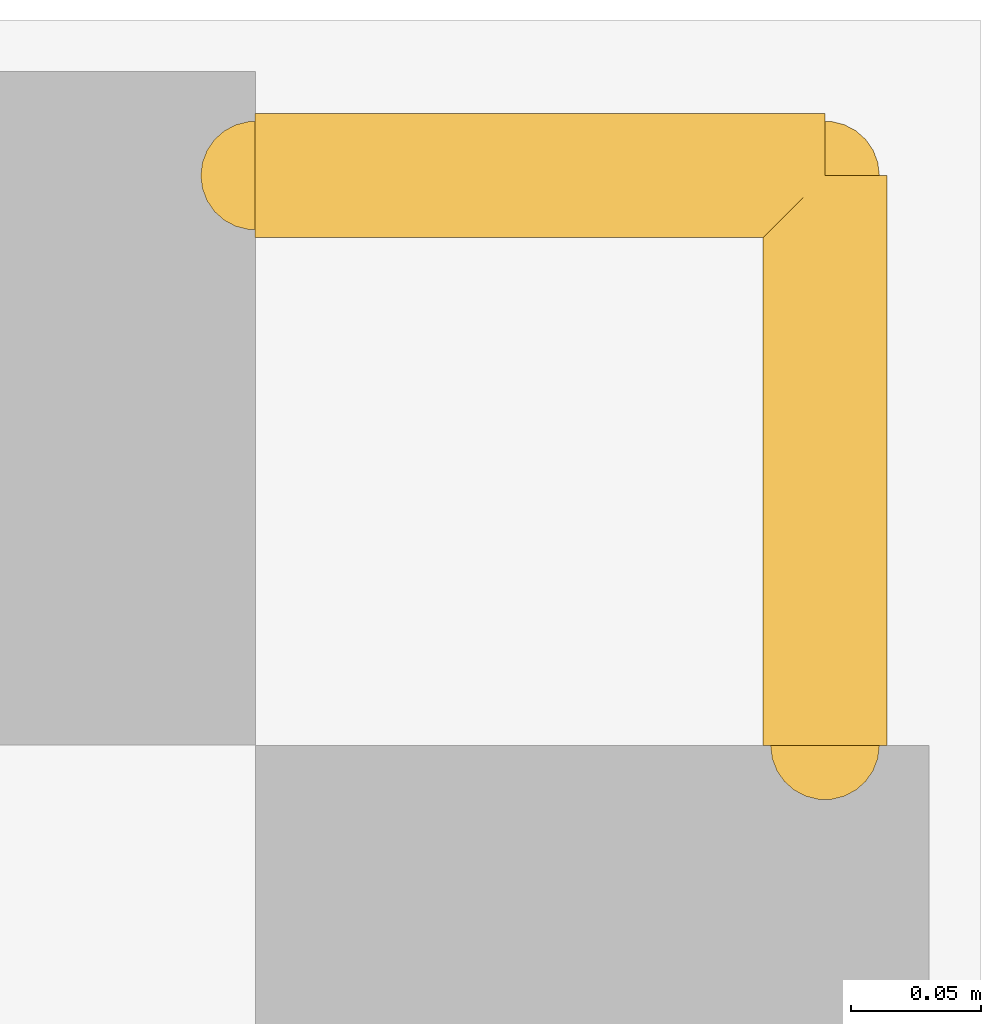
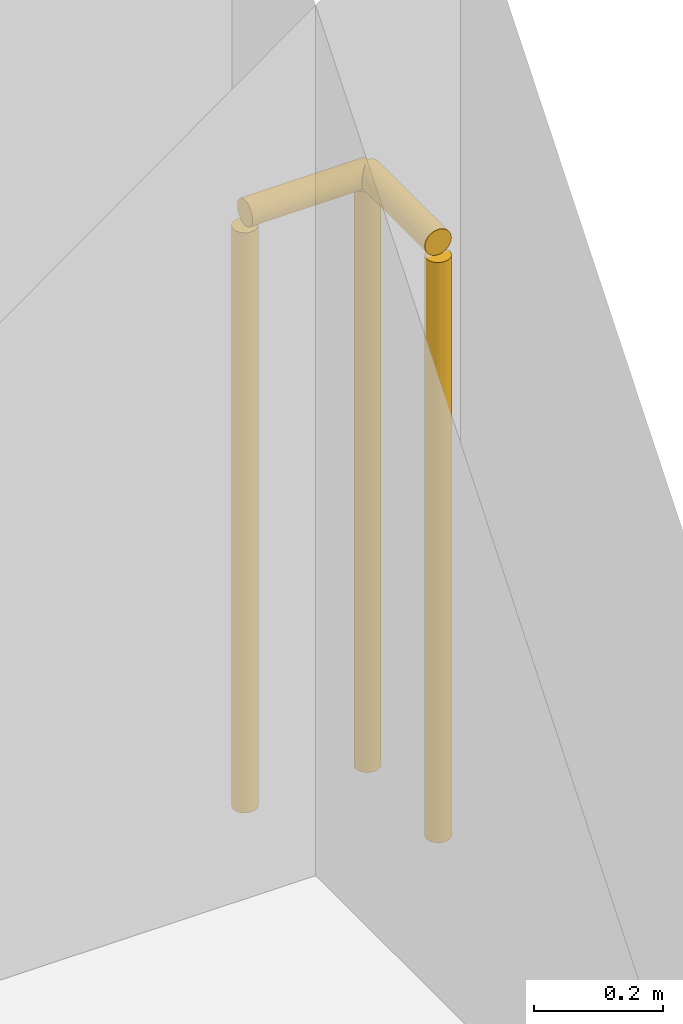
# One storey, part 20 of 20: 1 railing.
"""IFC4 building model written with IfcOpenShell, lengths in metres."""

from ifc_helpers import new_model, si_unit, direction, frame, origin, origin_2d, place, context, subcontext, project, spatial, circle, extrude, material, type_object, element, save


model = new_model("IFC4")

# Units and contexts
model_context = context("Model", 3, precision=1e-05, world=origin(), true_north=direction((0.0, 1.0)))
body_context = subcontext(model_context, "Body", "Model", "MODEL_VIEW")
ifc_project = project(units=[si_unit("LENGTHUNIT", "METRE"), si_unit("AREAUNIT", "SQUARE_METRE"), si_unit("VOLUMEUNIT", "CUBIC_METRE"), si_unit("PLANEANGLEUNIT", "RADIAN"), si_unit("MASSUNIT", "GRAM", prefix="KILO")], contexts=[model_context])

# Site, building, storey
site_placement = place(None, origin())
site = spatial("IfcSite", under=ifc_project, at=site_placement, CompositionType="ELEMENT")
building_placement = place(site_placement, origin())
building = spatial("IfcBuilding", under=site, at=building_placement, Name="Solvane Sanctuary Tower", CompositionType="ELEMENT")
storey_placement = place(building_placement, frame((0.0, 0.0, 18.39990234375)))
storey = spatial("IfcBuildingStorey", under=building, at=storey_placement, Name="L05", CompositionType="ELEMENT", Elevation=18.39990234375)

# Railing
ifc_material = material(Name="Architectural Stainless Steel 316", Category="steel")
railing_type = type_object("IfcRailingType", Name="Railing GR-BALC-1150", PredefinedType="BALUSTRADE", material=ifc_material)
railing_placement = place(storey_placement, frame((63.719970703125, 45.93994140625, 0.0)))
element("IfcRailing", 1, at=railing_placement, inside=storey, type_object=railing_type, Name="L05 Perimeter Slab Edge Guardrail 03", PredefinedType="BALUSTRADE", context=body_context, shape_type="SweptSolid", body=[
    extrude(circle(Radius=0.02392578125, at=origin_2d()), frame((0.0, 0.0, 1.1259765625), z_axis=(1.0, 0.0, 0.0), x_axis=(0.0, 1.0, 0.0)), (0.0, 0.0, 1.0), 0.219970703125),
    extrude(circle(Radius=0.02392578125, at=origin_2d()), frame((0.219970703125, 0.0, 1.1259765625), z_axis=(0.0, -1.0, 0.0), x_axis=(1.0, 0.0, 0.0)), (0.0, 0.0, 1.0), 0.219970703125),
    extrude(circle(Radius=0.02099609375, at=origin_2d()), origin(), (0.0, 0.0, 1.0), 1.101806640625),
    extrude(circle(Radius=0.02099609375, at=origin_2d()), frame((0.219970703125, 0.0, 0.0)), (0.0, 0.0, 1.0), 1.101806640625),
    extrude(circle(Radius=0.02099609375, at=origin_2d()), frame((0.219970703125, -0.219970703125, 0.0)), (0.0, 0.0, 1.0), 1.101806640625),
])

save(model, "model.ifc")
